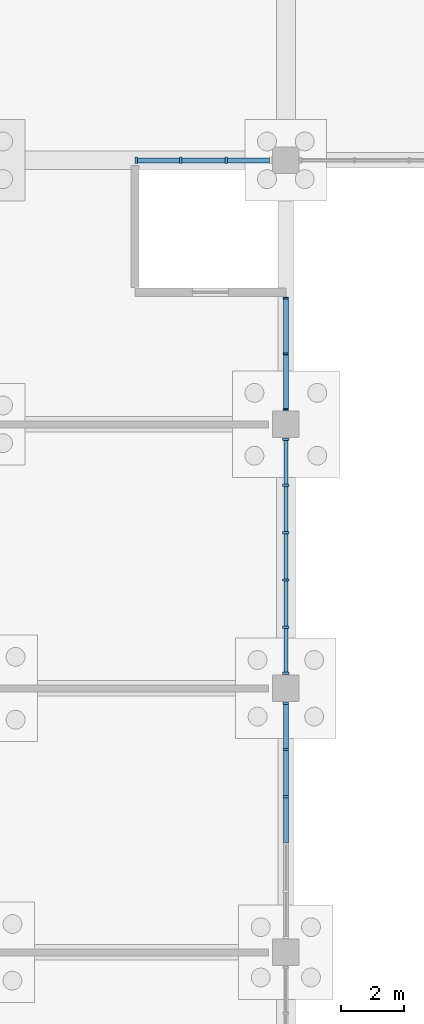
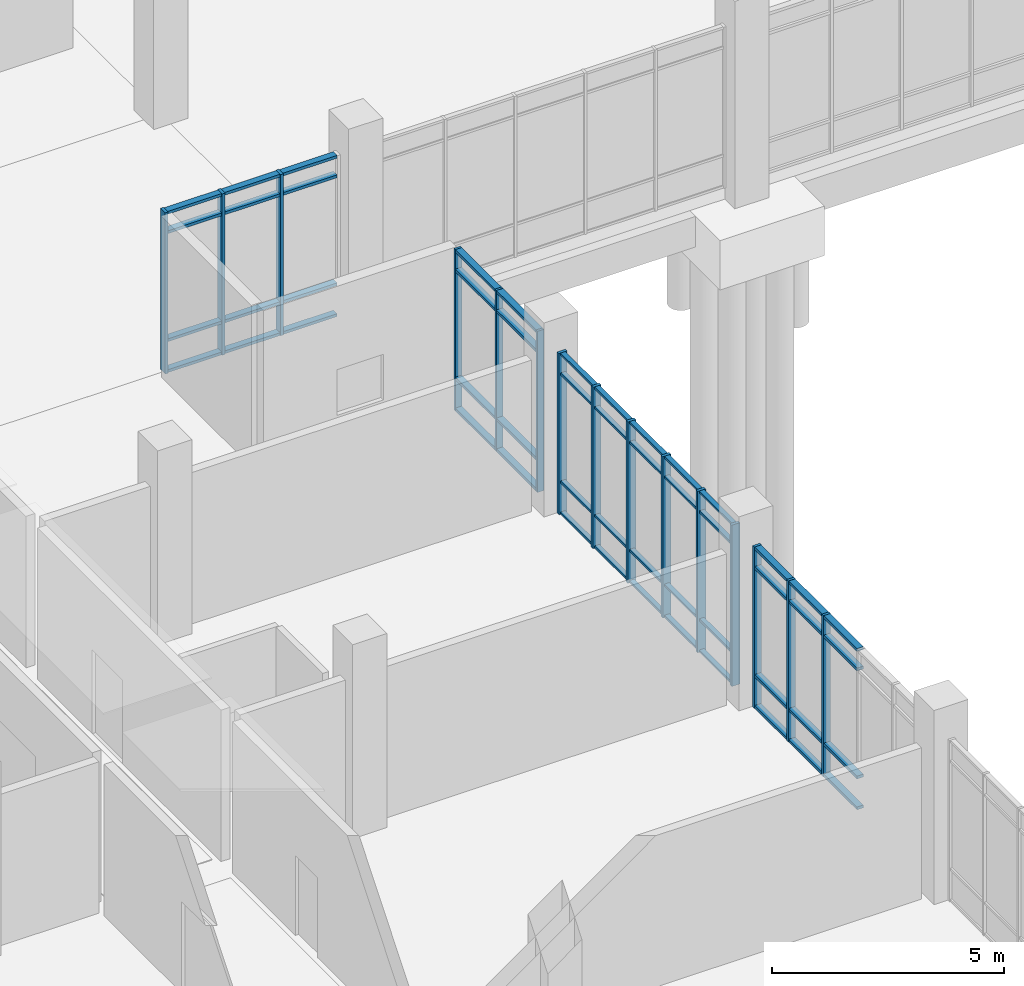
# One storey, part 38 of 136: 67 members, 4 elements without a shape of their own.
"""IFC4 building model written with IfcOpenShell, lengths in metres."""

import ifcopenshell
import ifcopenshell.guid

model = None  # the IFC model being written
_history = None  # IfcOwnerHistory: only IFC2X3 demands one
_inside = {}  # id of a spatial element -> (the spatial element, [elements in it])
_under = {}  # id of a project, library or spatial element -> (it, [spatial elements below it])
_declared = {}  # id of a project -> (the project, [libraries it declares])
_typed = {}  # id of a type object -> (the type object, [elements of that type])
_made_of = {}  # id of a material, layer set ... -> (it, [elements and type objects made of it])


def new_model(schema):
    """Start an empty IFC model of exactly this schema.

    Asked for "IFC4X3", IfcOpenShell would pick the latest addendum, in which some entities
    have other attributes; the version numbers below select the first issue.
    IFC2X3 requires an IfcOwnerHistory on every rooted entity: one is made here for all.
    """
    global model, _history
    if schema == "IFC4X3":
        model = ifcopenshell.file(schema_version=(4, 3, 0, 0))
    else:
        model = ifcopenshell.file(schema=schema)
    _inside.clear()
    _under.clear()
    _declared.clear()
    _typed.clear()
    _made_of.clear()
    _history = None
    if model.schema == "IFC2X3":
        org = make("IfcOrganization", Name="unknown")
        user = make(
            "IfcPersonAndOrganization",
            ThePerson=make("IfcPerson", FamilyName="unknown"),
            TheOrganization=org,
        )
        app = make(
            "IfcApplication",
            ApplicationDeveloper=org,
            Version="unknown",
            ApplicationFullName="unknown",
            ApplicationIdentifier="unknown",
        )
        _history = make(
            "IfcOwnerHistory",
            OwningUser=user,
            OwningApplication=app,
            ChangeAction="ADDED",
            CreationDate=0,
        )
    return model


def make(cls, **values):
    """One entity of the class cls with the attributes given. An attribute that is None is left unset."""
    return model.create_entity(
        cls, **{name: value for name, value in values.items() if value is not None}
    )


def rooted(cls, **values):
    """An entity with a GlobalId (a new one), such as an element, a storey or a relation."""
    return make(cls, GlobalId=ifcopenshell.guid.new(), OwnerHistory=_history, **values)


def si_unit(unit_type, name, prefix=None):
    """IfcSIUnit, for example si_unit("LENGTHUNIT", "METRE", prefix="MILLI")."""
    return make("IfcSIUnit", UnitType=unit_type, Prefix=prefix, Name=name)


def assignment(units):
    """IfcUnitAssignment: the units of a project."""
    return None if units is None else make("IfcUnitAssignment", Units=units)


def point(xyz):
    """IfcCartesianPoint."""
    return None if xyz is None else make("IfcCartesianPoint", Coordinates=xyz)


def direction(xyz):
    """IfcDirection."""
    return None if xyz is None else make("IfcDirection", DirectionRatios=xyz)


def frame(location, z_axis=None, x_axis=None):
    """IfcAxis2Placement3D, a coordinate frame: its origin and axes. An axis left out is left unset."""
    return make(
        "IfcAxis2Placement3D",
        Location=point(location),
        Axis=direction(z_axis),
        RefDirection=direction(x_axis),
    )


def frame_2d(location, x_axis=None):
    """IfcAxis2Placement2D, a coordinate frame in the plane: its origin and x axis."""
    return make(
        "IfcAxis2Placement2D", Location=point(location), RefDirection=direction(x_axis)
    )


def origin():
    """The frame at (0, 0, 0) with its axes left unset."""
    return frame((0.0, 0.0, 0.0))


def origin_2d():
    """The frame at (0, 0) in the plane with its x axis left unset."""
    return frame_2d((0.0, 0.0))


def place(relative_to, where):
    """IfcLocalPlacement: puts the frame where relative to a parent placement (None: the world)."""
    return make(
        "IfcLocalPlacement", PlacementRelTo=relative_to, RelativePlacement=where
    )


def context(
    kind, dimensions, precision=None, world=None, true_north=None, identifier=None
):
    """IfcGeometricRepresentationContext, for example the 3D "Model" context."""
    return make(
        "IfcGeometricRepresentationContext",
        ContextIdentifier=identifier,
        ContextType=kind,
        CoordinateSpaceDimension=dimensions,
        Precision=precision,
        WorldCoordinateSystem=world,
        TrueNorth=true_north,
    )


def subcontext(parent, identifier, kind, view, scale=None):
    """IfcGeometricRepresentationSubContext, for example "Body" below "Model"."""
    return make(
        "IfcGeometricRepresentationSubContext",
        ContextIdentifier=identifier,
        ContextType=kind,
        ParentContext=parent,
        TargetScale=scale,
        TargetView=view,
    )


def project(units=None, contexts=None):
    """IfcProject with its units and contexts."""
    return rooted(
        "IfcProject",
        Name="project",
        RepresentationContexts=contexts,
        UnitsInContext=assignment(units),
    )


def spatial(cls, under=None, at=None, **own):
    """A site, building, storey or space (cls), placed at a placement, below another one or the project."""
    s = rooted(cls, ObjectPlacement=at, **own)
    if under is not None:
        _under.setdefault(under.id(), (under, []))[1].append(s)
    return s


def profile(cls, at=None, kind="AREA", **sizes):
    """A parametric profile (cls). Its sizes go by their IFC names, for example OverallWidth=200.0."""
    return make(cls, ProfileType=kind, Position=at, **sizes)


def rectangle(**sizes):
    """IfcRectangleProfileDef."""
    return profile("IfcRectangleProfileDef", **sizes)


def extrude(swept, where, along, depth):
    """IfcExtrudedAreaSolid: the profile swept, set in the frame where, extruded along a direction by depth."""
    return make(
        "IfcExtrudedAreaSolid",
        SweptArea=swept,
        Position=where,
        ExtrudedDirection=direction(along),
        Depth=depth,
    )


def shape(context_of_items, identifier, shape_type, items):
    """IfcShapeRepresentation: the items that make up one representation, for example the "Body"."""
    return make(
        "IfcShapeRepresentation",
        ContextOfItems=context_of_items,
        RepresentationIdentifier=identifier,
        RepresentationType=shape_type,
        Items=items,
    )


def material(Name=None, Category=None):
    """IfcMaterial."""
    return make("IfcMaterial", Name=Name, Category=Category)


def material_profile(
    of_material, cross_section, Name=None, Category=None, Priority=None
):
    """IfcMaterialProfile: a cross section and its material."""
    return make(
        "IfcMaterialProfile",
        Name=Name,
        Material=of_material,
        Profile=cross_section,
        Priority=Priority,
        Category=Category,
    )


def profile_set(profiles, Name=None, composite=None):
    """IfcMaterialProfileSet."""
    return make(
        "IfcMaterialProfileSet",
        Name=Name,
        MaterialProfiles=profiles,
        CompositeProfile=composite,
    )


def made_of(thing, what):
    """Note that an element or type object is made of a material, layer set ...; save() writes the relation."""
    if what is not None:
        _made_of.setdefault(what.id(), (what, []))[1].append(thing)
    return thing


def type_object(cls, material=None, **own):
    """A type object (cls), such as IfcWallType, which elements share."""
    return made_of(rooted(cls, **own), material)


def element(
    cls,
    number,
    at=None,
    inside=None,
    cuts=None,
    type_object=None,
    material=None,
    context=None,
    identifier="Body",
    shape_type=None,
    held_by="IfcProductDefinitionShape",
    body=None,
    shapes=None,
    **own,
):
    """One element of the class cls, such as IfcWall. Its Tag is "e" and its number.

    at: its placement. inside: the storey or other place that contains it. cuts: it is an
    opening in that element (IfcRelVoidsElement). A single representation is given by context,
    identifier, shape_type and body (its items); several are given by shapes. held_by: the class
    of the entity that holds the representations. save() writes the other relations.
    """
    e = rooted(cls, Tag="e%d" % number, ObjectPlacement=at, **own)
    if body is not None:
        shapes = [shape(context, identifier, shape_type, body)]
    if shapes is not None:
        e.Representation = make(held_by, Representations=shapes)
    if inside is not None:
        _inside.setdefault(inside.id(), (inside, []))[1].append(e)
    if cuts is not None:
        rooted(
            "IfcRelVoidsElement", RelatingBuildingElement=cuts, RelatedOpeningElement=e
        )
    if type_object is not None:
        _typed.setdefault(type_object.id(), (type_object, []))[1].append(e)
    return made_of(e, material)


def aggregate(whole, parts):
    """IfcRelAggregates: a whole, such as a stair, and the parts it consists of."""
    return rooted("IfcRelAggregates", RelatingObject=whole, RelatedObjects=parts)


def save(model, path):
    """Write the relations noted so far, then the file.

    IfcRelAggregates (storeys below a building ...), IfcRelContainedInSpatialStructure (elements
    in a storey), IfcRelDefinesByType, IfcRelAssociatesMaterial and IfcRelDeclares: one each for
    every whole, place, type object, material and project.
    """
    for whole, parts in _under.values():
        aggregate(whole, parts)
    for where, things in _inside.values():
        rooted(
            "IfcRelContainedInSpatialStructure",
            RelatedElements=things,
            RelatingStructure=where,
        )
    for kind, things in _typed.values():
        rooted("IfcRelDefinesByType", RelatedObjects=things, RelatingType=kind)
    for what, things in _made_of.values():
        rooted("IfcRelAssociatesMaterial", RelatedObjects=things, RelatingMaterial=what)
    for by, libraries in _declared.values():
        rooted("IfcRelDeclares", RelatingContext=by, RelatedDefinitions=libraries)
    model.write(path)


model = new_model("IFC4")

# Units and contexts
model_context = context("Model", 3, precision=1e-05, world=origin(), true_north=direction((0.0, 1.0)))
body_context = subcontext(model_context, "Body", "Model", "MODEL_VIEW")
ifc_project = project(units=[si_unit("LENGTHUNIT", "METRE"), si_unit("AREAUNIT", "SQUARE_METRE"), si_unit("VOLUMEUNIT", "CUBIC_METRE"), si_unit("PLANEANGLEUNIT", "RADIAN"), si_unit("MASSUNIT", "GRAM", prefix="KILO")], contexts=[model_context])

# Site, building, storey
site_placement = place(None, origin())
site = spatial("IfcSite", under=ifc_project, at=site_placement, CompositionType="ELEMENT")
building_placement = place(site_placement, origin())
building = spatial("IfcBuilding", under=site, at=building_placement, Name="Oolite Switchyard Hospital", CompositionType="ELEMENT")
storey_placement = place(building_placement, origin())
storey = spatial("IfcBuildingStorey", under=building, at=storey_placement, Name="L00", CompositionType="ELEMENT", Elevation=0.0)

# Curtain wall, members
ifc_material_1 = material(Name="Thermally broken aluminum frame with laminated impact glazing", Category="aluminium")
curtain_wall_type = type_object("IfcCurtainWallType", Name="CW-UNIT-84X51", PredefinedType="USERDEFINED", material=ifc_material_1)
curtain_wall_1_placement = place(storey_placement, origin())
curtain_wall_1 = element("IfcCurtainWall", 1, at=curtain_wall_1_placement, inside=storey, type_object=curtain_wall_type, Name="L00 Unitised Curtain Wall 63", ObjectType="UNITISED", PredefinedType="USERDEFINED")
ifc_material_2 = material(Name="Aluminium 6063-T6", Category="aluminium")
ifc_material_profile_1 = material_profile(ifc_material_2, rectangle(XDim=0.159912109375, YDim=0.06005859375, at=origin_2d()), Name="CWM60X160")
ifc_profile_set_1 = profile_set([ifc_material_profile_1], Name="Aluminium 6063-T6")
member_type_1 = type_object("IfcMemberType", Name="CW-MUL-180", PredefinedType="MULLION", material=ifc_profile_set_1)
member_1_placement = place(storey_placement, frame((57.60009765625, 79.610107421875, 0.0), z_axis=(0.0, 0.0, 1.0), x_axis=(1.0, 0.0, 0.0)))
member_1 = element("IfcMember", 2, at=member_1_placement, type_object=member_type_1, Name="CW-06 mullion 1", PredefinedType="MULLION", context=body_context, shape_type="SweptSolid", body=[
    extrude(rectangle(XDim=0.159912109375, YDim=0.06005859375, at=origin_2d()), origin(), (0.0, 0.0, 1.0), 4.239990234375),
])
member_2_placement = place(storey_placement, frame((57.60009765625, 77.840087890625, 0.0), z_axis=(0.0, 0.0, 1.0), x_axis=(1.0, 0.0, 0.0)))
member_2 = element("IfcMember", 3, at=member_2_placement, type_object=member_type_1, Name="CW-06 mullion 2", PredefinedType="MULLION", context=body_context, shape_type="SweptSolid", body=[
    extrude(rectangle(XDim=0.159912109375, YDim=0.06005859375, at=origin_2d()), origin(), (0.0, 0.0, 1.0), 4.239990234375),
])
member_3_placement = place(storey_placement, frame((57.60009765625, 76.070068359375, 0.0), z_axis=(0.0, 0.0, 1.0), x_axis=(1.0, 0.0, 0.0)))
member_3 = element("IfcMember", 4, at=member_3_placement, type_object=member_type_1, Name="CW-06 mullion 3", PredefinedType="MULLION", context=body_context, shape_type="SweptSolid", body=[
    extrude(rectangle(XDim=0.159912109375, YDim=0.06005859375, at=origin_2d()), origin(), (0.0, 0.0, 1.0), 4.239990234375),
])

curtain_wall_2_placement = place(storey_placement, origin())
curtain_wall_2 = element("IfcCurtainWall", 5, at=curtain_wall_2_placement, inside=storey, type_object=curtain_wall_type, Name="L00 Unitised Curtain Wall 61", ObjectType="UNITISED", PredefinedType="USERDEFINED")
ifc_material_profile_2 = material_profile(ifc_material_2, rectangle(XDim=0.179931640625, YDim=0.070068359375, at=origin_2d()), Name="CWM70X180")
ifc_profile_set_2 = profile_set([ifc_material_profile_2], Name="Aluminium 6063-T6")
member_type_2 = type_object("IfcMemberType", Name="CW-MUL-220", PredefinedType="MULLION", material=ifc_profile_set_2)
member_4_placement = place(storey_placement, frame((57.60009765625, 66.72509765625, 0.0), z_axis=(0.0, 0.0, 1.0), x_axis=(1.0, 0.0, 0.0)))
member_4 = element("IfcMember", 6, at=member_4_placement, type_object=member_type_2, Name="CW-06 mullion 1", PredefinedType="MULLION", context=body_context, shape_type="SweptSolid", body=[
    extrude(rectangle(XDim=0.179931640625, YDim=0.070068359375, at=origin_2d()), origin(), (0.0, 0.0, 1.0), 4.239990234375),
])
member_5_placement = place(storey_placement, frame((57.60009765625, 65.256103515625, 0.0), z_axis=(0.0, 0.0, 1.0), x_axis=(1.0, 0.0, 0.0)))
member_5 = element("IfcMember", 7, at=member_5_placement, type_object=member_type_2, Name="CW-06 mullion 2", PredefinedType="MULLION", context=body_context, shape_type="SweptSolid", body=[
    extrude(rectangle(XDim=0.179931640625, YDim=0.070068359375, at=origin_2d()), origin(), (0.0, 0.0, 1.0), 4.239990234375),
])
member_6_placement = place(storey_placement, frame((57.60009765625, 63.751953125, 0.0), z_axis=(0.0, 0.0, 1.0), x_axis=(1.0, 0.0, 0.0)))
member_6 = element("IfcMember", 8, at=member_6_placement, type_object=member_type_2, Name="CW-06 mullion 3", PredefinedType="MULLION", context=body_context, shape_type="SweptSolid", body=[
    extrude(rectangle(XDim=0.179931640625, YDim=0.070068359375, at=origin_2d()), origin(), (0.0, 0.0, 1.0), 4.239990234375),
])

curtain_wall_3_placement = place(storey_placement, origin())
curtain_wall_3 = element("IfcCurtainWall", 9, at=curtain_wall_3_placement, inside=storey, type_object=curtain_wall_type, Name="L00 Unitised Curtain Wall 29", ObjectType="UNITISED", PredefinedType="USERDEFINED")
ifc_material_profile_3 = material_profile(ifc_material_2, rectangle(XDim=0.199951171875, YDim=0.074951171875, at=origin_2d()), Name="CWM75X200")
ifc_profile_set_3 = profile_set([ifc_material_profile_3], Name="Aluminium 6063-T6")
member_type_3 = type_object("IfcMemberType", Name="CW-MUL-260", PredefinedType="MULLION", material=ifc_profile_set_3)
member_7_placement = place(storey_placement, frame((55.706787109375, 84.0, 0.0), z_axis=(0.0, 0.0, 1.0), x_axis=(0.0, -1.0, 0.0)))
member_7 = element("IfcMember", 10, at=member_7_placement, type_object=member_type_3, Name="CW-06 mullion 2", PredefinedType="MULLION", context=body_context, shape_type="SweptSolid", body=[
    extrude(rectangle(XDim=0.199951171875, YDim=0.074951171875, at=origin_2d()), origin(), (0.0, 0.0, 1.0), 4.239990234375),
])
member_8_placement = place(storey_placement, frame((54.25341796875, 84.0, 0.0), z_axis=(0.0, 0.0, 1.0), x_axis=(0.0, -1.0, 0.0)))
member_8 = element("IfcMember", 11, at=member_8_placement, type_object=member_type_3, Name="CW-06 mullion 3", PredefinedType="MULLION", context=body_context, shape_type="SweptSolid", body=[
    extrude(rectangle(XDim=0.199951171875, YDim=0.074951171875, at=origin_2d()), origin(), (0.0, 0.0, 1.0), 4.239990234375),
])
member_9_placement = place(storey_placement, frame((52.83740234375, 84.0, 0.0), z_axis=(0.0, 0.0, 1.0), x_axis=(0.0, -1.0, 0.0)))
member_9 = element("IfcMember", 12, at=member_9_placement, type_object=member_type_3, Name="CW-06 mullion 4", PredefinedType="MULLION", context=body_context, shape_type="SweptSolid", body=[
    extrude(rectangle(XDim=0.199951171875, YDim=0.074951171875, at=origin_2d()), origin(), (0.0, 0.0, 1.0), 4.239990234375),
])

curtain_wall_4_placement = place(storey_placement, origin())
curtain_wall_4 = element("IfcCurtainWall", 13, at=curtain_wall_4_placement, inside=storey, type_object=curtain_wall_type, Name="L00 Unitised Curtain Wall 62", ObjectType="UNITISED", PredefinedType="USERDEFINED")
member_10_placement = place(storey_placement, frame((57.60009765625, 75.12255859375, 0.0), z_axis=(0.0, 0.0, 1.0), x_axis=(1.0, 0.0, 0.0)))
member_10 = element("IfcMember", 14, at=member_10_placement, type_object=member_type_3, Name="CW-06 mullion 1", PredefinedType="MULLION", context=body_context, shape_type="SweptSolid", body=[
    extrude(rectangle(XDim=0.199951171875, YDim=0.074951171875, at=origin_2d()), origin(), (0.0, 0.0, 1.0), 4.239990234375),
])
member_11_placement = place(storey_placement, frame((57.60009765625, 73.656005859375, 0.0), z_axis=(0.0, 0.0, 1.0), x_axis=(1.0, 0.0, 0.0)))
member_11 = element("IfcMember", 15, at=member_11_placement, type_object=member_type_3, Name="CW-06 mullion 2", PredefinedType="MULLION", context=body_context, shape_type="SweptSolid", body=[
    extrude(rectangle(XDim=0.199951171875, YDim=0.074951171875, at=origin_2d()), origin(), (0.0, 0.0, 1.0), 4.239990234375),
])
member_12_placement = place(storey_placement, frame((57.60009765625, 72.152099609375, 0.0), z_axis=(0.0, 0.0, 1.0), x_axis=(1.0, 0.0, 0.0)))
member_12 = element("IfcMember", 16, at=member_12_placement, type_object=member_type_3, Name="CW-06 mullion 3", PredefinedType="MULLION", context=body_context, shape_type="SweptSolid", body=[
    extrude(rectangle(XDim=0.199951171875, YDim=0.074951171875, at=origin_2d()), origin(), (0.0, 0.0, 1.0), 4.239990234375),
])
member_13_placement = place(storey_placement, frame((57.60009765625, 70.64794921875, 0.0), z_axis=(0.0, 0.0, 1.0), x_axis=(1.0, 0.0, 0.0)))
member_13 = element("IfcMember", 17, at=member_13_placement, type_object=member_type_3, Name="CW-06 mullion 4", PredefinedType="MULLION", context=body_context, shape_type="SweptSolid", body=[
    extrude(rectangle(XDim=0.199951171875, YDim=0.074951171875, at=origin_2d()), origin(), (0.0, 0.0, 1.0), 4.239990234375),
])
member_14_placement = place(storey_placement, frame((57.60009765625, 69.14404296875, 0.0), z_axis=(0.0, 0.0, 1.0), x_axis=(1.0, 0.0, 0.0)))
member_14 = element("IfcMember", 18, at=member_14_placement, type_object=member_type_3, Name="CW-06 mullion 5", PredefinedType="MULLION", context=body_context, shape_type="SweptSolid", body=[
    extrude(rectangle(XDim=0.199951171875, YDim=0.074951171875, at=origin_2d()), origin(), (0.0, 0.0, 1.0), 4.239990234375),
])
member_15_placement = place(storey_placement, frame((57.60009765625, 67.677490234375, 0.0), z_axis=(0.0, 0.0, 1.0), x_axis=(1.0, 0.0, 0.0)))
member_15 = element("IfcMember", 19, at=member_15_placement, type_object=member_type_3, Name="CW-06 mullion 6", PredefinedType="MULLION", context=body_context, shape_type="SweptSolid", body=[
    extrude(rectangle(XDim=0.199951171875, YDim=0.074951171875, at=origin_2d()), origin(), (0.0, 0.0, 1.0), 4.239990234375),
])
ifc_material_profile_4 = material_profile(ifc_material_2, rectangle(XDim=0.1201171875, YDim=0.06005859375, at=origin_2d()), Name="CWT60X120")
ifc_profile_set_4 = profile_set([ifc_material_profile_4], Name="Aluminium 6063-T6")
member_type_4 = type_object("IfcMemberType", Name="CW-TRN-150", PredefinedType="USERDEFINED", material=ifc_profile_set_4)
member_16_placement = place(storey_placement, frame((57.60009765625, 75.0849609375, 0.030029296875), z_axis=(0.0, -1.0, 0.0), x_axis=(1.0, 0.0, 0.0)))
member_16 = element("IfcMember", 20, at=member_16_placement, type_object=member_type_4, Name="CW-06 transom 1.1", ObjectType="TRANSOM", PredefinedType="USERDEFINED", context=body_context, shape_type="SweptSolid", body=[
    extrude(rectangle(XDim=0.1201171875, YDim=0.06005859375, at=origin_2d()), origin(), (0.0, 0.0, 1.0), 1.391357421875),
])
member_17_placement = place(storey_placement, frame((57.60009765625, 75.0849609375, 0.85009765625), z_axis=(0.0, -1.0, 0.0), x_axis=(1.0, 0.0, 0.0)))
member_17 = element("IfcMember", 21, at=member_17_placement, type_object=member_type_4, Name="CW-06 transom 1.2", ObjectType="TRANSOM", PredefinedType="USERDEFINED", context=body_context, shape_type="SweptSolid", body=[
    extrude(rectangle(XDim=0.1201171875, YDim=0.06005859375, at=origin_2d()), origin(), (0.0, 0.0, 1.0), 1.391357421875),
])
member_18_placement = place(storey_placement, frame((57.60009765625, 75.0849609375, 3.68994140625), z_axis=(0.0, -1.0, 0.0), x_axis=(1.0, 0.0, 0.0)))
member_18 = element("IfcMember", 22, at=member_18_placement, type_object=member_type_4, Name="CW-06 transom 1.3", ObjectType="TRANSOM", PredefinedType="USERDEFINED", context=body_context, shape_type="SweptSolid", body=[
    extrude(rectangle(XDim=0.1201171875, YDim=0.06005859375, at=origin_2d()), origin(), (0.0, 0.0, 1.0), 1.391357421875),
])
member_19_placement = place(storey_placement, frame((57.60009765625, 75.0849609375, 4.2099609375), z_axis=(0.0, -1.0, 0.0), x_axis=(1.0, 0.0, 0.0)))
member_19 = element("IfcMember", 23, at=member_19_placement, type_object=member_type_4, Name="CW-06 transom 1.4", ObjectType="TRANSOM", PredefinedType="USERDEFINED", context=body_context, shape_type="SweptSolid", body=[
    extrude(rectangle(XDim=0.1201171875, YDim=0.06005859375, at=origin_2d()), origin(), (0.0, 0.0, 1.0), 1.391357421875),
])
member_20_placement = place(storey_placement, frame((57.60009765625, 73.618408203125, 0.030029296875), z_axis=(0.0, -1.0, 0.0), x_axis=(1.0, 0.0, 0.0)))
member_20 = element("IfcMember", 24, at=member_20_placement, type_object=member_type_4, Name="CW-06 transom 2.1", ObjectType="TRANSOM", PredefinedType="USERDEFINED", context=body_context, shape_type="SweptSolid", body=[
    extrude(rectangle(XDim=0.1201171875, YDim=0.06005859375, at=origin_2d()), origin(), (0.0, 0.0, 1.0), 1.428955078125),
])
member_21_placement = place(storey_placement, frame((57.60009765625, 73.618408203125, 0.85009765625), z_axis=(0.0, -1.0, 0.0), x_axis=(1.0, 0.0, 0.0)))
member_21 = element("IfcMember", 25, at=member_21_placement, type_object=member_type_4, Name="CW-06 transom 2.2", ObjectType="TRANSOM", PredefinedType="USERDEFINED", context=body_context, shape_type="SweptSolid", body=[
    extrude(rectangle(XDim=0.1201171875, YDim=0.06005859375, at=origin_2d()), origin(), (0.0, 0.0, 1.0), 1.428955078125),
])
member_22_placement = place(storey_placement, frame((57.60009765625, 73.618408203125, 3.68994140625), z_axis=(0.0, -1.0, 0.0), x_axis=(1.0, 0.0, 0.0)))
member_22 = element("IfcMember", 26, at=member_22_placement, type_object=member_type_4, Name="CW-06 transom 2.3", ObjectType="TRANSOM", PredefinedType="USERDEFINED", context=body_context, shape_type="SweptSolid", body=[
    extrude(rectangle(XDim=0.1201171875, YDim=0.06005859375, at=origin_2d()), origin(), (0.0, 0.0, 1.0), 1.428955078125),
])
member_23_placement = place(storey_placement, frame((57.60009765625, 73.618408203125, 4.2099609375), z_axis=(0.0, -1.0, 0.0), x_axis=(1.0, 0.0, 0.0)))
member_23 = element("IfcMember", 27, at=member_23_placement, type_object=member_type_4, Name="CW-06 transom 2.4", ObjectType="TRANSOM", PredefinedType="USERDEFINED", context=body_context, shape_type="SweptSolid", body=[
    extrude(rectangle(XDim=0.1201171875, YDim=0.06005859375, at=origin_2d()), origin(), (0.0, 0.0, 1.0), 1.428955078125),
])
member_24_placement = place(storey_placement, frame((57.60009765625, 72.114501953125, 0.030029296875), z_axis=(0.0, -1.0, 0.0), x_axis=(1.0, 0.0, 0.0)))
member_24 = element("IfcMember", 28, at=member_24_placement, type_object=member_type_4, Name="CW-06 transom 3.1", ObjectType="TRANSOM", PredefinedType="USERDEFINED", context=body_context, shape_type="SweptSolid", body=[
    extrude(rectangle(XDim=0.1201171875, YDim=0.06005859375, at=origin_2d()), origin(), (0.0, 0.0, 1.0), 1.428955078125),
])
member_25_placement = place(storey_placement, frame((57.60009765625, 72.114501953125, 0.85009765625), z_axis=(0.0, -1.0, 0.0), x_axis=(1.0, 0.0, 0.0)))
member_25 = element("IfcMember", 29, at=member_25_placement, type_object=member_type_4, Name="CW-06 transom 3.2", ObjectType="TRANSOM", PredefinedType="USERDEFINED", context=body_context, shape_type="SweptSolid", body=[
    extrude(rectangle(XDim=0.1201171875, YDim=0.06005859375, at=origin_2d()), origin(), (0.0, 0.0, 1.0), 1.428955078125),
])
member_26_placement = place(storey_placement, frame((57.60009765625, 72.114501953125, 3.68994140625), z_axis=(0.0, -1.0, 0.0), x_axis=(1.0, 0.0, 0.0)))
member_26 = element("IfcMember", 30, at=member_26_placement, type_object=member_type_4, Name="CW-06 transom 3.3", ObjectType="TRANSOM", PredefinedType="USERDEFINED", context=body_context, shape_type="SweptSolid", body=[
    extrude(rectangle(XDim=0.1201171875, YDim=0.06005859375, at=origin_2d()), origin(), (0.0, 0.0, 1.0), 1.428955078125),
])
member_27_placement = place(storey_placement, frame((57.60009765625, 72.114501953125, 4.2099609375), z_axis=(0.0, -1.0, 0.0), x_axis=(1.0, 0.0, 0.0)))
member_27 = element("IfcMember", 31, at=member_27_placement, type_object=member_type_4, Name="CW-06 transom 3.4", ObjectType="TRANSOM", PredefinedType="USERDEFINED", context=body_context, shape_type="SweptSolid", body=[
    extrude(rectangle(XDim=0.1201171875, YDim=0.06005859375, at=origin_2d()), origin(), (0.0, 0.0, 1.0), 1.428955078125),
])
member_28_placement = place(storey_placement, frame((57.60009765625, 70.610595703125, 0.030029296875), z_axis=(0.0, -1.0, 0.0), x_axis=(1.0, 0.0, 0.0)))
member_28 = element("IfcMember", 32, at=member_28_placement, type_object=member_type_4, Name="CW-06 transom 4.1", ObjectType="TRANSOM", PredefinedType="USERDEFINED", context=body_context, shape_type="SweptSolid", body=[
    extrude(rectangle(XDim=0.1201171875, YDim=0.06005859375, at=origin_2d()), origin(), (0.0, 0.0, 1.0), 1.42919921875),
])
member_29_placement = place(storey_placement, frame((57.60009765625, 70.610595703125, 0.85009765625), z_axis=(0.0, -1.0, 0.0), x_axis=(1.0, 0.0, 0.0)))
member_29 = element("IfcMember", 33, at=member_29_placement, type_object=member_type_4, Name="CW-06 transom 4.2", ObjectType="TRANSOM", PredefinedType="USERDEFINED", context=body_context, shape_type="SweptSolid", body=[
    extrude(rectangle(XDim=0.1201171875, YDim=0.06005859375, at=origin_2d()), origin(), (0.0, 0.0, 1.0), 1.42919921875),
])
member_30_placement = place(storey_placement, frame((57.60009765625, 70.610595703125, 3.68994140625), z_axis=(0.0, -1.0, 0.0), x_axis=(1.0, 0.0, 0.0)))
member_30 = element("IfcMember", 34, at=member_30_placement, type_object=member_type_4, Name="CW-06 transom 4.3", ObjectType="TRANSOM", PredefinedType="USERDEFINED", context=body_context, shape_type="SweptSolid", body=[
    extrude(rectangle(XDim=0.1201171875, YDim=0.06005859375, at=origin_2d()), origin(), (0.0, 0.0, 1.0), 1.42919921875),
])
member_31_placement = place(storey_placement, frame((57.60009765625, 70.610595703125, 4.2099609375), z_axis=(0.0, -1.0, 0.0), x_axis=(1.0, 0.0, 0.0)))
member_31 = element("IfcMember", 35, at=member_31_placement, type_object=member_type_4, Name="CW-06 transom 4.4", ObjectType="TRANSOM", PredefinedType="USERDEFINED", context=body_context, shape_type="SweptSolid", body=[
    extrude(rectangle(XDim=0.1201171875, YDim=0.06005859375, at=origin_2d()), origin(), (0.0, 0.0, 1.0), 1.42919921875),
])
member_32_placement = place(storey_placement, frame((57.60009765625, 69.1064453125, 0.030029296875), z_axis=(0.0, -1.0, 0.0), x_axis=(1.0, 0.0, 0.0)))
member_32 = element("IfcMember", 36, at=member_32_placement, type_object=member_type_4, Name="CW-06 transom 5.1", ObjectType="TRANSOM", PredefinedType="USERDEFINED", context=body_context, shape_type="SweptSolid", body=[
    extrude(rectangle(XDim=0.1201171875, YDim=0.06005859375, at=origin_2d()), origin(), (0.0, 0.0, 1.0), 1.391357421875),
])
member_33_placement = place(storey_placement, frame((57.60009765625, 69.1064453125, 0.85009765625), z_axis=(0.0, -1.0, 0.0), x_axis=(1.0, 0.0, 0.0)))
member_33 = element("IfcMember", 37, at=member_33_placement, type_object=member_type_4, Name="CW-06 transom 5.2", ObjectType="TRANSOM", PredefinedType="USERDEFINED", context=body_context, shape_type="SweptSolid", body=[
    extrude(rectangle(XDim=0.1201171875, YDim=0.06005859375, at=origin_2d()), origin(), (0.0, 0.0, 1.0), 1.391357421875),
])
member_34_placement = place(storey_placement, frame((57.60009765625, 69.1064453125, 3.68994140625), z_axis=(0.0, -1.0, 0.0), x_axis=(1.0, 0.0, 0.0)))
member_34 = element("IfcMember", 38, at=member_34_placement, type_object=member_type_4, Name="CW-06 transom 5.3", ObjectType="TRANSOM", PredefinedType="USERDEFINED", context=body_context, shape_type="SweptSolid", body=[
    extrude(rectangle(XDim=0.1201171875, YDim=0.06005859375, at=origin_2d()), origin(), (0.0, 0.0, 1.0), 1.391357421875),
])
member_35_placement = place(storey_placement, frame((57.60009765625, 69.1064453125, 4.2099609375), z_axis=(0.0, -1.0, 0.0), x_axis=(1.0, 0.0, 0.0)))
member_35 = element("IfcMember", 39, at=member_35_placement, type_object=member_type_4, Name="CW-06 transom 5.4", ObjectType="TRANSOM", PredefinedType="USERDEFINED", context=body_context, shape_type="SweptSolid", body=[
    extrude(rectangle(XDim=0.1201171875, YDim=0.06005859375, at=origin_2d()), origin(), (0.0, 0.0, 1.0), 1.391357421875),
])
aggregate(curtain_wall_4, [member_10, member_11, member_12, member_13, member_14, member_15, member_16, member_17, member_18, member_19, member_20, member_21, member_22, member_23, member_24, member_25, member_26, member_27, member_28, member_29, member_30, member_31, member_32, member_33, member_34, member_35])

# Member
ifc_material_profile_5 = material_profile(ifc_material_2, rectangle(XDim=0.159912109375, YDim=0.074951171875, at=origin_2d()), Name="CWT75X160")
ifc_profile_set_5 = profile_set([ifc_material_profile_5], Name="Aluminium 6063-T6")
member_type_5 = type_object("IfcMemberType", Name="CW-TRN-180", PredefinedType="USERDEFINED", material=ifc_profile_set_5)
member_36_placement = place(storey_placement, frame((57.0849609375, 84.0, 0.03759765625), z_axis=(-1.0, 0.0, 0.0), x_axis=(0.0, -1.0, 0.0)))
member_36 = element("IfcMember", 40, at=member_36_placement, type_object=member_type_5, Name="CW-06 transom 1.1", ObjectType="TRANSOM", PredefinedType="USERDEFINED", context=body_context, shape_type="SweptSolid", body=[
    extrude(rectangle(XDim=0.159912109375, YDim=0.074951171875, at=origin_2d()), origin(), (0.0, 0.0, 1.0), 1.3408203125),
])

member_37_placement = place(storey_placement, frame((57.0849609375, 84.0, 0.85009765625), z_axis=(-1.0, 0.0, 0.0), x_axis=(0.0, -1.0, 0.0)))
member_37 = element("IfcMember", 41, at=member_37_placement, type_object=member_type_5, Name="CW-06 transom 1.2", ObjectType="TRANSOM", PredefinedType="USERDEFINED", context=body_context, shape_type="SweptSolid", body=[
    extrude(rectangle(XDim=0.159912109375, YDim=0.074951171875, at=origin_2d()), origin(), (0.0, 0.0, 1.0), 1.3408203125),
])

member_38_placement = place(storey_placement, frame((57.0849609375, 84.0, 3.68994140625), z_axis=(-1.0, 0.0, 0.0), x_axis=(0.0, -1.0, 0.0)))
member_38 = element("IfcMember", 42, at=member_38_placement, type_object=member_type_5, Name="CW-06 transom 1.3", ObjectType="TRANSOM", PredefinedType="USERDEFINED", context=body_context, shape_type="SweptSolid", body=[
    extrude(rectangle(XDim=0.159912109375, YDim=0.074951171875, at=origin_2d()), origin(), (0.0, 0.0, 1.0), 1.3408203125),
])

member_39_placement = place(storey_placement, frame((57.0849609375, 84.0, 4.202392578125), z_axis=(-1.0, 0.0, 0.0), x_axis=(0.0, -1.0, 0.0)))
member_39 = element("IfcMember", 43, at=member_39_placement, type_object=member_type_5, Name="CW-06 transom 1.4", ObjectType="TRANSOM", PredefinedType="USERDEFINED", context=body_context, shape_type="SweptSolid", body=[
    extrude(rectangle(XDim=0.159912109375, YDim=0.074951171875, at=origin_2d()), origin(), (0.0, 0.0, 1.0), 1.3408203125),
])

member_40_placement = place(storey_placement, frame((55.669189453125, 84.0, 0.03759765625), z_axis=(-1.0, 0.0, 0.0), x_axis=(0.0, -1.0, 0.0)))
member_40 = element("IfcMember", 44, at=member_40_placement, type_object=member_type_5, Name="CW-06 transom 2.1", ObjectType="TRANSOM", PredefinedType="USERDEFINED", context=body_context, shape_type="SweptSolid", body=[
    extrude(rectangle(XDim=0.159912109375, YDim=0.074951171875, at=origin_2d()), origin(), (0.0, 0.0, 1.0), 1.37841796875),
])

member_41_placement = place(storey_placement, frame((55.669189453125, 84.0, 0.85009765625), z_axis=(-1.0, 0.0, 0.0), x_axis=(0.0, -1.0, 0.0)))
member_41 = element("IfcMember", 45, at=member_41_placement, type_object=member_type_5, Name="CW-06 transom 2.2", ObjectType="TRANSOM", PredefinedType="USERDEFINED", context=body_context, shape_type="SweptSolid", body=[
    extrude(rectangle(XDim=0.159912109375, YDim=0.074951171875, at=origin_2d()), origin(), (0.0, 0.0, 1.0), 1.37841796875),
])

member_42_placement = place(storey_placement, frame((55.669189453125, 84.0, 3.68994140625), z_axis=(-1.0, 0.0, 0.0), x_axis=(0.0, -1.0, 0.0)))
member_42 = element("IfcMember", 46, at=member_42_placement, type_object=member_type_5, Name="CW-06 transom 2.3", ObjectType="TRANSOM", PredefinedType="USERDEFINED", context=body_context, shape_type="SweptSolid", body=[
    extrude(rectangle(XDim=0.159912109375, YDim=0.074951171875, at=origin_2d()), origin(), (0.0, 0.0, 1.0), 1.37841796875),
])

member_43_placement = place(storey_placement, frame((55.669189453125, 84.0, 4.202392578125), z_axis=(-1.0, 0.0, 0.0), x_axis=(0.0, -1.0, 0.0)))
member_43 = element("IfcMember", 47, at=member_43_placement, type_object=member_type_5, Name="CW-06 transom 2.4", ObjectType="TRANSOM", PredefinedType="USERDEFINED", context=body_context, shape_type="SweptSolid", body=[
    extrude(rectangle(XDim=0.159912109375, YDim=0.074951171875, at=origin_2d()), origin(), (0.0, 0.0, 1.0), 1.37841796875),
])

member_44_placement = place(storey_placement, frame((54.2158203125, 84.0, 0.03759765625), z_axis=(-1.0, 0.0, 0.0), x_axis=(0.0, -1.0, 0.0)))
member_44 = element("IfcMember", 48, at=member_44_placement, type_object=member_type_5, Name="CW-06 transom 3.1", ObjectType="TRANSOM", PredefinedType="USERDEFINED", context=body_context, shape_type="SweptSolid", body=[
    extrude(rectangle(XDim=0.159912109375, YDim=0.074951171875, at=origin_2d()), origin(), (0.0, 0.0, 1.0), 1.3408203125),
])

member_45_placement = place(storey_placement, frame((54.2158203125, 84.0, 0.85009765625), z_axis=(-1.0, 0.0, 0.0), x_axis=(0.0, -1.0, 0.0)))
member_45 = element("IfcMember", 49, at=member_45_placement, type_object=member_type_5, Name="CW-06 transom 3.2", ObjectType="TRANSOM", PredefinedType="USERDEFINED", context=body_context, shape_type="SweptSolid", body=[
    extrude(rectangle(XDim=0.159912109375, YDim=0.074951171875, at=origin_2d()), origin(), (0.0, 0.0, 1.0), 1.3408203125),
])

member_46_placement = place(storey_placement, frame((54.2158203125, 84.0, 3.68994140625), z_axis=(-1.0, 0.0, 0.0), x_axis=(0.0, -1.0, 0.0)))
member_46 = element("IfcMember", 50, at=member_46_placement, type_object=member_type_5, Name="CW-06 transom 3.3", ObjectType="TRANSOM", PredefinedType="USERDEFINED", context=body_context, shape_type="SweptSolid", body=[
    extrude(rectangle(XDim=0.159912109375, YDim=0.074951171875, at=origin_2d()), origin(), (0.0, 0.0, 1.0), 1.3408203125),
])

member_47_placement = place(storey_placement, frame((54.2158203125, 84.0, 4.202392578125), z_axis=(-1.0, 0.0, 0.0), x_axis=(0.0, -1.0, 0.0)))
member_47 = element("IfcMember", 51, at=member_47_placement, type_object=member_type_5, Name="CW-06 transom 3.4", ObjectType="TRANSOM", PredefinedType="USERDEFINED", context=body_context, shape_type="SweptSolid", body=[
    extrude(rectangle(XDim=0.159912109375, YDim=0.074951171875, at=origin_2d()), origin(), (0.0, 0.0, 1.0), 1.3408203125),
])

aggregate(curtain_wall_3, [member_7, member_8, member_9, member_36, member_37, member_38, member_39, member_40, member_41, member_42, member_43, member_44, member_45, member_46, member_47])

member_48_placement = place(storey_placement, frame((57.60009765625, 66.68994140625, 0.03759765625), z_axis=(0.0, -1.0, 0.0), x_axis=(1.0, 0.0, 0.0)))
member_48 = element("IfcMember", 52, at=member_48_placement, type_object=member_type_5, Name="CW-06 transom 1.1", ObjectType="TRANSOM", PredefinedType="USERDEFINED", context=body_context, shape_type="SweptSolid", body=[
    extrude(rectangle(XDim=0.159912109375, YDim=0.074951171875, at=origin_2d()), origin(), (0.0, 0.0, 1.0), 1.39892578125),
])

member_49_placement = place(storey_placement, frame((57.60009765625, 66.68994140625, 0.85009765625), z_axis=(0.0, -1.0, 0.0), x_axis=(1.0, 0.0, 0.0)))
member_49 = element("IfcMember", 53, at=member_49_placement, type_object=member_type_5, Name="CW-06 transom 1.2", ObjectType="TRANSOM", PredefinedType="USERDEFINED", context=body_context, shape_type="SweptSolid", body=[
    extrude(rectangle(XDim=0.159912109375, YDim=0.074951171875, at=origin_2d()), origin(), (0.0, 0.0, 1.0), 1.39892578125),
])

member_50_placement = place(storey_placement, frame((57.60009765625, 66.68994140625, 3.68994140625), z_axis=(0.0, -1.0, 0.0), x_axis=(1.0, 0.0, 0.0)))
member_50 = element("IfcMember", 54, at=member_50_placement, type_object=member_type_5, Name="CW-06 transom 1.3", ObjectType="TRANSOM", PredefinedType="USERDEFINED", context=body_context, shape_type="SweptSolid", body=[
    extrude(rectangle(XDim=0.159912109375, YDim=0.074951171875, at=origin_2d()), origin(), (0.0, 0.0, 1.0), 1.39892578125),
])

member_51_placement = place(storey_placement, frame((57.60009765625, 66.68994140625, 4.202392578125), z_axis=(0.0, -1.0, 0.0), x_axis=(1.0, 0.0, 0.0)))
member_51 = element("IfcMember", 55, at=member_51_placement, type_object=member_type_5, Name="CW-06 transom 1.4", ObjectType="TRANSOM", PredefinedType="USERDEFINED", context=body_context, shape_type="SweptSolid", body=[
    extrude(rectangle(XDim=0.159912109375, YDim=0.074951171875, at=origin_2d()), origin(), (0.0, 0.0, 1.0), 1.39892578125),
])

member_52_placement = place(storey_placement, frame((57.60009765625, 65.220947265625, 0.03759765625), z_axis=(0.0, -1.0, 0.0), x_axis=(1.0, 0.0, 0.0)))
member_52 = element("IfcMember", 56, at=member_52_placement, type_object=member_type_5, Name="CW-06 transom 2.1", ObjectType="TRANSOM", PredefinedType="USERDEFINED", context=body_context, shape_type="SweptSolid", body=[
    extrude(rectangle(XDim=0.159912109375, YDim=0.074951171875, at=origin_2d()), origin(), (0.0, 0.0, 1.0), 1.433837890625),
])

member_53_placement = place(storey_placement, frame((57.60009765625, 65.220947265625, 0.85009765625), z_axis=(0.0, -1.0, 0.0), x_axis=(1.0, 0.0, 0.0)))
member_53 = element("IfcMember", 57, at=member_53_placement, type_object=member_type_5, Name="CW-06 transom 2.2", ObjectType="TRANSOM", PredefinedType="USERDEFINED", context=body_context, shape_type="SweptSolid", body=[
    extrude(rectangle(XDim=0.159912109375, YDim=0.074951171875, at=origin_2d()), origin(), (0.0, 0.0, 1.0), 1.433837890625),
])

member_54_placement = place(storey_placement, frame((57.60009765625, 65.220947265625, 3.68994140625), z_axis=(0.0, -1.0, 0.0), x_axis=(1.0, 0.0, 0.0)))
member_54 = element("IfcMember", 58, at=member_54_placement, type_object=member_type_5, Name="CW-06 transom 2.3", ObjectType="TRANSOM", PredefinedType="USERDEFINED", context=body_context, shape_type="SweptSolid", body=[
    extrude(rectangle(XDim=0.159912109375, YDim=0.074951171875, at=origin_2d()), origin(), (0.0, 0.0, 1.0), 1.433837890625),
])

member_55_placement = place(storey_placement, frame((57.60009765625, 65.220947265625, 4.202392578125), z_axis=(0.0, -1.0, 0.0), x_axis=(1.0, 0.0, 0.0)))
member_55 = element("IfcMember", 59, at=member_55_placement, type_object=member_type_5, Name="CW-06 transom 2.4", ObjectType="TRANSOM", PredefinedType="USERDEFINED", context=body_context, shape_type="SweptSolid", body=[
    extrude(rectangle(XDim=0.159912109375, YDim=0.074951171875, at=origin_2d()), origin(), (0.0, 0.0, 1.0), 1.433837890625),
])

member_56_placement = place(storey_placement, frame((57.60009765625, 63.717041015625, 0.03759765625), z_axis=(0.0, -1.0, 0.0), x_axis=(1.0, 0.0, 0.0)))
member_56 = element("IfcMember", 60, at=member_56_placement, type_object=member_type_5, Name="CW-06 transom 3.1", ObjectType="TRANSOM", PredefinedType="USERDEFINED", context=body_context, shape_type="SweptSolid", body=[
    extrude(rectangle(XDim=0.159912109375, YDim=0.074951171875, at=origin_2d()), origin(), (0.0, 0.0, 1.0), 1.43408203125),
])

member_57_placement = place(storey_placement, frame((57.60009765625, 63.717041015625, 0.85009765625), z_axis=(0.0, -1.0, 0.0), x_axis=(1.0, 0.0, 0.0)))
member_57 = element("IfcMember", 61, at=member_57_placement, type_object=member_type_5, Name="CW-06 transom 3.2", ObjectType="TRANSOM", PredefinedType="USERDEFINED", context=body_context, shape_type="SweptSolid", body=[
    extrude(rectangle(XDim=0.159912109375, YDim=0.074951171875, at=origin_2d()), origin(), (0.0, 0.0, 1.0), 1.43408203125),
])

member_58_placement = place(storey_placement, frame((57.60009765625, 63.717041015625, 3.68994140625), z_axis=(0.0, -1.0, 0.0), x_axis=(1.0, 0.0, 0.0)))
member_58 = element("IfcMember", 62, at=member_58_placement, type_object=member_type_5, Name="CW-06 transom 3.3", ObjectType="TRANSOM", PredefinedType="USERDEFINED", context=body_context, shape_type="SweptSolid", body=[
    extrude(rectangle(XDim=0.159912109375, YDim=0.074951171875, at=origin_2d()), origin(), (0.0, 0.0, 1.0), 1.43408203125),
])

member_59_placement = place(storey_placement, frame((57.60009765625, 63.717041015625, 4.202392578125), z_axis=(0.0, -1.0, 0.0), x_axis=(1.0, 0.0, 0.0)))
member_59 = element("IfcMember", 63, at=member_59_placement, type_object=member_type_5, Name="CW-06 transom 3.4", ObjectType="TRANSOM", PredefinedType="USERDEFINED", context=body_context, shape_type="SweptSolid", body=[
    extrude(rectangle(XDim=0.159912109375, YDim=0.074951171875, at=origin_2d()), origin(), (0.0, 0.0, 1.0), 1.43408203125),
])

aggregate(curtain_wall_2, [member_4, member_5, member_6, member_48, member_49, member_50, member_51, member_52, member_53, member_54, member_55, member_56, member_57, member_58, member_59])

member_60_placement = place(storey_placement, frame((57.60009765625, 79.580078125, 0.03759765625), z_axis=(0.0, -1.0, 0.0), x_axis=(1.0, 0.0, 0.0)))
member_60 = element("IfcMember", 64, at=member_60_placement, type_object=member_type_5, Name="CW-06 transom 1.1", ObjectType="TRANSOM", PredefinedType="USERDEFINED", context=body_context, shape_type="SweptSolid", body=[
    extrude(rectangle(XDim=0.159912109375, YDim=0.074951171875, at=origin_2d()), origin(), (0.0, 0.0, 1.0), 1.7099609375),
])

member_61_placement = place(storey_placement, frame((57.60009765625, 79.580078125, 0.85009765625), z_axis=(0.0, -1.0, 0.0), x_axis=(1.0, 0.0, 0.0)))
member_61 = element("IfcMember", 65, at=member_61_placement, type_object=member_type_5, Name="CW-06 transom 1.2", ObjectType="TRANSOM", PredefinedType="USERDEFINED", context=body_context, shape_type="SweptSolid", body=[
    extrude(rectangle(XDim=0.159912109375, YDim=0.074951171875, at=origin_2d()), origin(), (0.0, 0.0, 1.0), 1.7099609375),
])

member_62_placement = place(storey_placement, frame((57.60009765625, 79.580078125, 3.68994140625), z_axis=(0.0, -1.0, 0.0), x_axis=(1.0, 0.0, 0.0)))
member_62 = element("IfcMember", 66, at=member_62_placement, type_object=member_type_5, Name="CW-06 transom 1.3", ObjectType="TRANSOM", PredefinedType="USERDEFINED", context=body_context, shape_type="SweptSolid", body=[
    extrude(rectangle(XDim=0.159912109375, YDim=0.074951171875, at=origin_2d()), origin(), (0.0, 0.0, 1.0), 1.7099609375),
])

member_63_placement = place(storey_placement, frame((57.60009765625, 79.580078125, 4.202392578125), z_axis=(0.0, -1.0, 0.0), x_axis=(1.0, 0.0, 0.0)))
member_63 = element("IfcMember", 67, at=member_63_placement, type_object=member_type_5, Name="CW-06 transom 1.4", ObjectType="TRANSOM", PredefinedType="USERDEFINED", context=body_context, shape_type="SweptSolid", body=[
    extrude(rectangle(XDim=0.159912109375, YDim=0.074951171875, at=origin_2d()), origin(), (0.0, 0.0, 1.0), 1.7099609375),
])

member_64_placement = place(storey_placement, frame((57.60009765625, 77.81005859375, 0.03759765625), z_axis=(0.0, -1.0, 0.0), x_axis=(1.0, 0.0, 0.0)))
member_64 = element("IfcMember", 68, at=member_64_placement, type_object=member_type_5, Name="CW-06 transom 2.1", ObjectType="TRANSOM", PredefinedType="USERDEFINED", context=body_context, shape_type="SweptSolid", body=[
    extrude(rectangle(XDim=0.159912109375, YDim=0.074951171875, at=origin_2d()), origin(), (0.0, 0.0, 1.0), 1.7099609375),
])

member_65_placement = place(storey_placement, frame((57.60009765625, 77.81005859375, 0.85009765625), z_axis=(0.0, -1.0, 0.0), x_axis=(1.0, 0.0, 0.0)))
member_65 = element("IfcMember", 69, at=member_65_placement, type_object=member_type_5, Name="CW-06 transom 2.2", ObjectType="TRANSOM", PredefinedType="USERDEFINED", context=body_context, shape_type="SweptSolid", body=[
    extrude(rectangle(XDim=0.159912109375, YDim=0.074951171875, at=origin_2d()), origin(), (0.0, 0.0, 1.0), 1.7099609375),
])

member_66_placement = place(storey_placement, frame((57.60009765625, 77.81005859375, 3.68994140625), z_axis=(0.0, -1.0, 0.0), x_axis=(1.0, 0.0, 0.0)))
member_66 = element("IfcMember", 70, at=member_66_placement, type_object=member_type_5, Name="CW-06 transom 2.3", ObjectType="TRANSOM", PredefinedType="USERDEFINED", context=body_context, shape_type="SweptSolid", body=[
    extrude(rectangle(XDim=0.159912109375, YDim=0.074951171875, at=origin_2d()), origin(), (0.0, 0.0, 1.0), 1.7099609375),
])

member_67_placement = place(storey_placement, frame((57.60009765625, 77.81005859375, 4.202392578125), z_axis=(0.0, -1.0, 0.0), x_axis=(1.0, 0.0, 0.0)))
member_67 = element("IfcMember", 71, at=member_67_placement, type_object=member_type_5, Name="CW-06 transom 2.4", ObjectType="TRANSOM", PredefinedType="USERDEFINED", context=body_context, shape_type="SweptSolid", body=[
    extrude(rectangle(XDim=0.159912109375, YDim=0.074951171875, at=origin_2d()), origin(), (0.0, 0.0, 1.0), 1.7099609375),
])

aggregate(curtain_wall_1, [member_1, member_2, member_3, member_60, member_61, member_62, member_63, member_64, member_65, member_66, member_67])

save(model, "model.ifc")
